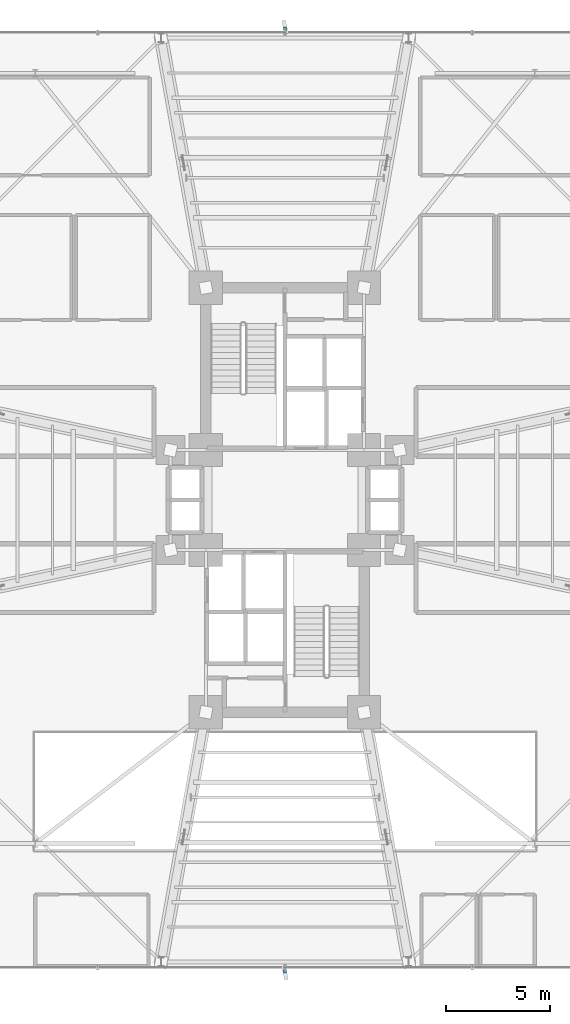
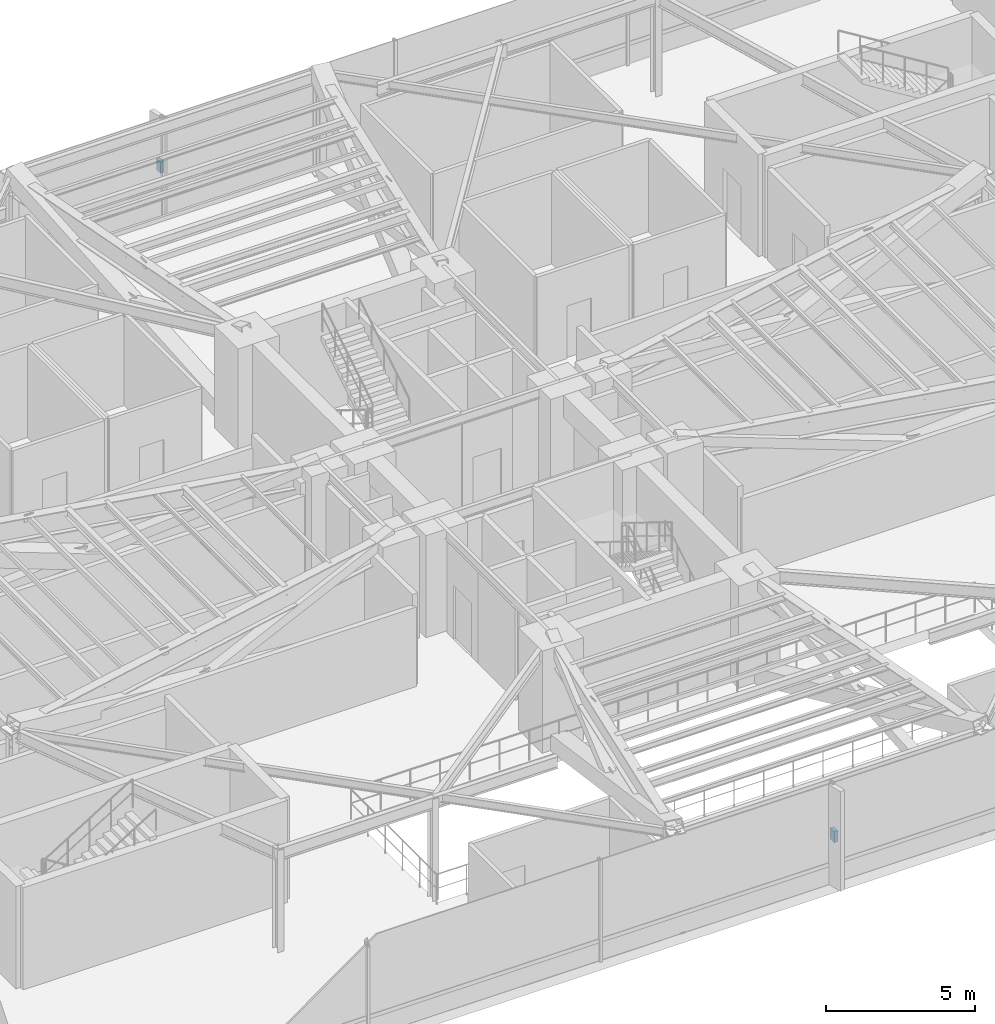
# One storey, part 28 of 32: 2 discrete accessories.
"""IFC4 building model written with IfcOpenShell, lengths in metres."""

from ifc_helpers import new_model, si_unit, direction, frame, origin, origin_2d, place, context, subcontext, project, spatial, rectangle, extrude, source, transform, mapped, material, type_object, element, save


model = new_model("IFC4")

# Units and contexts
model_context = context("Model", 3, precision=1e-05, world=origin(), true_north=direction((0.0, 1.0)))
body_context = subcontext(model_context, "Body", "Model", "MODEL_VIEW")
ifc_project = project(units=[si_unit("LENGTHUNIT", "METRE"), si_unit("AREAUNIT", "SQUARE_METRE"), si_unit("VOLUMEUNIT", "CUBIC_METRE"), si_unit("PLANEANGLEUNIT", "RADIAN"), si_unit("MASSUNIT", "GRAM", prefix="KILO")], contexts=[model_context])

# Site, building, storey
site_placement = place(None, origin())
site = spatial("IfcSite", under=ifc_project, at=site_placement, CompositionType="ELEMENT")
building_placement = place(site_placement, origin())
building = spatial("IfcBuilding", under=site, at=building_placement, Name="Sahyath Konkavel Grand Hotel", CompositionType="ELEMENT")
storey_placement = place(building_placement, frame((0.0, 0.0, 14.10009765625)))
storey = spatial("IfcBuildingStorey", under=building, at=storey_placement, Name="L03", CompositionType="ELEMENT", Elevation=14.10009765625)

# Discrete accessories
ifc_material = material(Name="Steel E350", Category="steel")
discrete_accessory_type = type_object("IfcDiscreteAccessoryType", Name="ACC-FIN-BRACKET", PredefinedType="BRACKET", material=ifc_material)
shared_shape = source(origin(), body_context, "Body", "SweptSolid", [
    extrude(rectangle(XDim=0.280029296875, YDim=0.139892578125, at=origin_2d()), origin(), (0.0, 0.0, 1.0), 0.449951171875),
])
for number, where, z_axis, x_axis, name in (
    (1, (0.0, 22.594970703125, 1.86474609375), (0.0, 0.0, 1.0), (0.0, 1.0, 0.0), "L03 Fin Support Bracket N-3"),
    (2, (0.0, -22.594970703125, 1.86474609375), (0.0, 0.0, 1.0), (0.0, -1.0, 0.0), "L03 Fin Support Bracket S-3"),
):
    element("IfcDiscreteAccessory", number, at=place(storey_placement, frame(where, z_axis=z_axis, x_axis=x_axis)), inside=storey, type_object=discrete_accessory_type, Name=name, PredefinedType="BRACKET", context=body_context, shape_type="MappedRepresentation", body=[
        mapped(shared_shape, transform((0.0, 0.0, 0.0), scale=1.0)),
    ])

save(model, "model.ifc")
